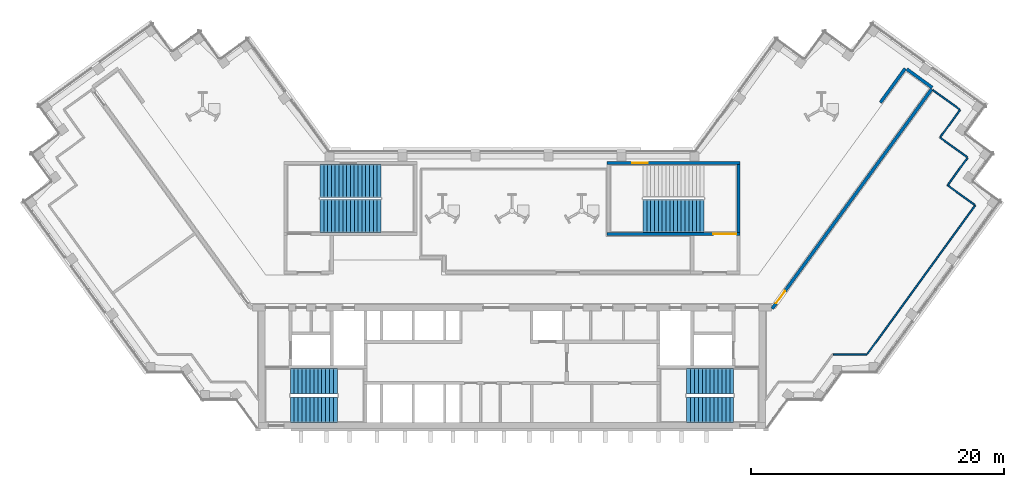
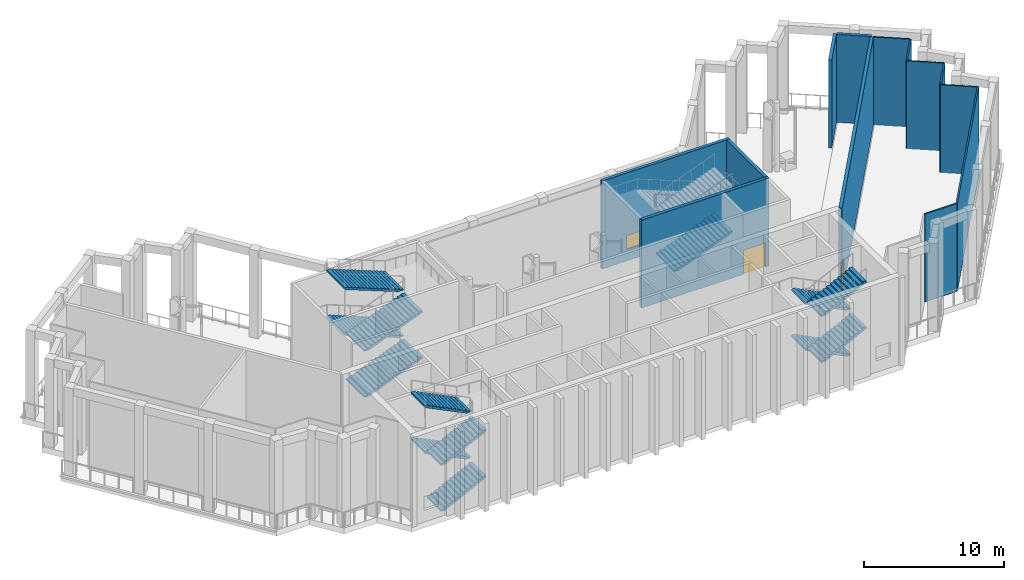
# One storey, part 5 of 12: 13 stair flights, 13 walls, 2 doors, 1 window, 3 openings, 4 elements without a shape of their own.
"""IFC4 building model written with IfcOpenShell, lengths in metres."""

import ifcopenshell
import ifcopenshell.guid

model = None  # the IFC model being written
_history = None  # IfcOwnerHistory: only IFC2X3 demands one
_inside = {}  # id of a spatial element -> (the spatial element, [elements in it])
_under = {}  # id of a project, library or spatial element -> (it, [spatial elements below it])
_declared = {}  # id of a project -> (the project, [libraries it declares])
_typed = {}  # id of a type object -> (the type object, [elements of that type])
_made_of = {}  # id of a material, layer set ... -> (it, [elements and type objects made of it])


def new_model(schema):
    """Start an empty IFC model of exactly this schema.

    Asked for "IFC4X3", IfcOpenShell would pick the latest addendum, in which some entities
    have other attributes; the version numbers below select the first issue.
    IFC2X3 requires an IfcOwnerHistory on every rooted entity: one is made here for all.
    """
    global model, _history
    if schema == "IFC4X3":
        model = ifcopenshell.file(schema_version=(4, 3, 0, 0))
    else:
        model = ifcopenshell.file(schema=schema)
    _inside.clear()
    _under.clear()
    _declared.clear()
    _typed.clear()
    _made_of.clear()
    _history = None
    if model.schema == "IFC2X3":
        org = make("IfcOrganization", Name="unknown")
        user = make(
            "IfcPersonAndOrganization",
            ThePerson=make("IfcPerson", FamilyName="unknown"),
            TheOrganization=org,
        )
        app = make(
            "IfcApplication",
            ApplicationDeveloper=org,
            Version="unknown",
            ApplicationFullName="unknown",
            ApplicationIdentifier="unknown",
        )
        _history = make(
            "IfcOwnerHistory",
            OwningUser=user,
            OwningApplication=app,
            ChangeAction="ADDED",
            CreationDate=0,
        )
    return model


def make(cls, **values):
    """One entity of the class cls with the attributes given. An attribute that is None is left unset."""
    return model.create_entity(
        cls, **{name: value for name, value in values.items() if value is not None}
    )


def rooted(cls, **values):
    """An entity with a GlobalId (a new one), such as an element, a storey or a relation."""
    return make(cls, GlobalId=ifcopenshell.guid.new(), OwnerHistory=_history, **values)


def si_unit(unit_type, name, prefix=None):
    """IfcSIUnit, for example si_unit("LENGTHUNIT", "METRE", prefix="MILLI")."""
    return make("IfcSIUnit", UnitType=unit_type, Prefix=prefix, Name=name)


def assignment(units):
    """IfcUnitAssignment: the units of a project."""
    return None if units is None else make("IfcUnitAssignment", Units=units)


def point(xyz):
    """IfcCartesianPoint."""
    return None if xyz is None else make("IfcCartesianPoint", Coordinates=xyz)


def direction(xyz):
    """IfcDirection."""
    return None if xyz is None else make("IfcDirection", DirectionRatios=xyz)


def frame(location, z_axis=None, x_axis=None):
    """IfcAxis2Placement3D, a coordinate frame: its origin and axes. An axis left out is left unset."""
    return make(
        "IfcAxis2Placement3D",
        Location=point(location),
        Axis=direction(z_axis),
        RefDirection=direction(x_axis),
    )


def frame_2d(location, x_axis=None):
    """IfcAxis2Placement2D, a coordinate frame in the plane: its origin and x axis."""
    return make(
        "IfcAxis2Placement2D", Location=point(location), RefDirection=direction(x_axis)
    )


def origin():
    """The frame at (0, 0, 0) with its axes left unset."""
    return frame((0.0, 0.0, 0.0))


def place(relative_to, where):
    """IfcLocalPlacement: puts the frame where relative to a parent placement (None: the world)."""
    return make(
        "IfcLocalPlacement", PlacementRelTo=relative_to, RelativePlacement=where
    )


def context(
    kind, dimensions, precision=None, world=None, true_north=None, identifier=None
):
    """IfcGeometricRepresentationContext, for example the 3D "Model" context."""
    return make(
        "IfcGeometricRepresentationContext",
        ContextIdentifier=identifier,
        ContextType=kind,
        CoordinateSpaceDimension=dimensions,
        Precision=precision,
        WorldCoordinateSystem=world,
        TrueNorth=true_north,
    )


def subcontext(parent, identifier, kind, view, scale=None):
    """IfcGeometricRepresentationSubContext, for example "Body" below "Model"."""
    return make(
        "IfcGeometricRepresentationSubContext",
        ContextIdentifier=identifier,
        ContextType=kind,
        ParentContext=parent,
        TargetScale=scale,
        TargetView=view,
    )


def project(units=None, contexts=None):
    """IfcProject with its units and contexts."""
    return rooted(
        "IfcProject",
        Name="project",
        RepresentationContexts=contexts,
        UnitsInContext=assignment(units),
    )


def spatial(cls, under=None, at=None, **own):
    """A site, building, storey or space (cls), placed at a placement, below another one or the project."""
    s = rooted(cls, ObjectPlacement=at, **own)
    if under is not None:
        _under.setdefault(under.id(), (under, []))[1].append(s)
    return s


def polyline(points):
    """IfcPolyline through the points."""
    return make("IfcPolyline", Points=[point(p) for p in points])


def profile(cls, at=None, kind="AREA", **sizes):
    """A parametric profile (cls). Its sizes go by their IFC names, for example OverallWidth=200.0."""
    return make(cls, ProfileType=kind, Position=at, **sizes)


def rectangle(**sizes):
    """IfcRectangleProfileDef."""
    return profile("IfcRectangleProfileDef", **sizes)


def outline(outer, holes=None, kind="AREA"):
    """IfcArbitraryClosedProfileDef: a profile drawn as a closed curve; with holes, ...WithVoids."""
    if holes is None:
        return make("IfcArbitraryClosedProfileDef", ProfileType=kind, OuterCurve=outer)
    return make(
        "IfcArbitraryProfileDefWithVoids",
        ProfileType=kind,
        OuterCurve=outer,
        InnerCurves=holes,
    )


def extrude(swept, where, along, depth):
    """IfcExtrudedAreaSolid: the profile swept, set in the frame where, extruded along a direction by depth."""
    return make(
        "IfcExtrudedAreaSolid",
        SweptArea=swept,
        Position=where,
        ExtrudedDirection=direction(along),
        Depth=depth,
    )


def shape(context_of_items, identifier, shape_type, items):
    """IfcShapeRepresentation: the items that make up one representation, for example the "Body"."""
    return make(
        "IfcShapeRepresentation",
        ContextOfItems=context_of_items,
        RepresentationIdentifier=identifier,
        RepresentationType=shape_type,
        Items=items,
    )


def material(Name=None, Category=None):
    """IfcMaterial."""
    return make("IfcMaterial", Name=Name, Category=Category)


def layer(
    of_material, thickness, ventilated=None, Name=None, Category=None, Priority=None
):
    """IfcMaterialLayer: one layer of a wall or slab, of a material (None: an air gap)."""
    return make(
        "IfcMaterialLayer",
        Material=of_material,
        LayerThickness=thickness,
        IsVentilated=ventilated,
        Name=Name,
        Category=Category,
        Priority=Priority,
    )


def layer_set(layers, Name=None):
    """IfcMaterialLayerSet."""
    return make("IfcMaterialLayerSet", MaterialLayers=layers, LayerSetName=Name)


def made_of(thing, what):
    """Note that an element or type object is made of a material, layer set ...; save() writes the relation."""
    if what is not None:
        _made_of.setdefault(what.id(), (what, []))[1].append(thing)
    return thing


def type_object(cls, material=None, **own):
    """A type object (cls), such as IfcWallType, which elements share."""
    return made_of(rooted(cls, **own), material)


def element(
    cls,
    number,
    at=None,
    inside=None,
    cuts=None,
    type_object=None,
    material=None,
    context=None,
    identifier="Body",
    shape_type=None,
    held_by="IfcProductDefinitionShape",
    body=None,
    shapes=None,
    **own,
):
    """One element of the class cls, such as IfcWall. Its Tag is "e" and its number.

    at: its placement. inside: the storey or other place that contains it. cuts: it is an
    opening in that element (IfcRelVoidsElement). A single representation is given by context,
    identifier, shape_type and body (its items); several are given by shapes. held_by: the class
    of the entity that holds the representations. save() writes the other relations.
    """
    e = rooted(cls, Tag="e%d" % number, ObjectPlacement=at, **own)
    if body is not None:
        shapes = [shape(context, identifier, shape_type, body)]
    if shapes is not None:
        e.Representation = make(held_by, Representations=shapes)
    if inside is not None:
        _inside.setdefault(inside.id(), (inside, []))[1].append(e)
    if cuts is not None:
        rooted(
            "IfcRelVoidsElement", RelatingBuildingElement=cuts, RelatedOpeningElement=e
        )
    if type_object is not None:
        _typed.setdefault(type_object.id(), (type_object, []))[1].append(e)
    return made_of(e, material)


def fill(opening, filler):
    """IfcRelFillsElement: the door or window that sits in an opening."""
    return rooted(
        "IfcRelFillsElement",
        RelatingOpeningElement=opening,
        RelatedBuildingElement=filler,
    )


def aggregate(whole, parts):
    """IfcRelAggregates: a whole, such as a stair, and the parts it consists of."""
    return rooted("IfcRelAggregates", RelatingObject=whole, RelatedObjects=parts)


def save(model, path):
    """Write the relations noted so far, then the file.

    IfcRelAggregates (storeys below a building ...), IfcRelContainedInSpatialStructure (elements
    in a storey), IfcRelDefinesByType, IfcRelAssociatesMaterial and IfcRelDeclares: one each for
    every whole, place, type object, material and project.
    """
    for whole, parts in _under.values():
        aggregate(whole, parts)
    for where, things in _inside.values():
        rooted(
            "IfcRelContainedInSpatialStructure",
            RelatedElements=things,
            RelatingStructure=where,
        )
    for kind, things in _typed.values():
        rooted("IfcRelDefinesByType", RelatedObjects=things, RelatingType=kind)
    for what, things in _made_of.values():
        rooted("IfcRelAssociatesMaterial", RelatedObjects=things, RelatingMaterial=what)
    for by, libraries in _declared.values():
        rooted("IfcRelDeclares", RelatingContext=by, RelatedDefinitions=libraries)
    model.write(path)


model = new_model("IFC4")

# Units and contexts
model_context = context("Model", 3, precision=1e-05, world=origin(), true_north=direction((0.0, 1.0)))
body_context = subcontext(model_context, "Body", "Model", "MODEL_VIEW")
ifc_project = project(units=[si_unit("LENGTHUNIT", "METRE"), si_unit("AREAUNIT", "SQUARE_METRE"), si_unit("VOLUMEUNIT", "CUBIC_METRE"), si_unit("PLANEANGLEUNIT", "RADIAN"), si_unit("MASSUNIT", "GRAM", prefix="KILO")], contexts=[model_context])

# Site, building, storey
site_placement = place(None, origin())
site = spatial("IfcSite", under=ifc_project, at=site_placement, CompositionType="ELEMENT")
building_placement = place(site_placement, origin())
building = spatial("IfcBuilding", under=site, at=building_placement, Name="Quipu Civic Tower", CompositionType="ELEMENT")
storey_placement = place(building_placement, frame((0.0, 0.0, 273.0)))
storey = spatial("IfcBuildingStorey", under=building, at=storey_placement, Name="L64", CompositionType="ELEMENT", Elevation=273.0)

# Wall, opening, door
ifc_material_1 = material(Name="Concrete C70/85", Category="concrete")
ifc_layer_1 = layer(ifc_material_1, 0.25)
ifc_layer_set_1 = layer_set([ifc_layer_1], Name="Concrete C70/85")
wall_type_1 = type_object("IfcWallType", Name="Core wall 250", PredefinedType="SHEAR", material=ifc_layer_set_1)
wall_1_placement = place(storey_placement, frame((7.5, 4.375, 0.0), z_axis=(0.0, 0.0, 1.0), x_axis=(1.0, 0.0, 0.0)))
wall_1 = element("IfcWall", 1, at=wall_1_placement, inside=storey, type_object=wall_type_1, Name="Core wall", PredefinedType="SHEAR", context=body_context, shape_type="SweptSolid", body=[
    extrude(rectangle(XDim=10.5, YDim=0.25, at=frame_2d((5.25, 0.0))), origin(), (0.0, 0.0, 1.0), 7.64990234375),
])
opening_1_placement = place(wall_1_placement, frame((8.39990234375, 0.0, 0.0)))
opening_1 = element("IfcOpeningElement", 2, at=opening_1_placement, cuts=wall_1, Name="Opening CD-23", PredefinedType="OPENING", context=body_context, shape_type="SweptSolid", body=[
    extrude(rectangle(XDim=1.800048828125, YDim=2.10009765625, at=frame_2d((0.89990234375, 1.050048828125))), frame((0.0, 0.135009765625, 0.0), z_axis=(0.0, -1.0, 0.0), x_axis=(1.0, 0.0, 0.0)), (0.0, 0.0, 1.0), 0.27001953125),
])
ifc_material_2 = material(Name="Fire rated steel door", Category="steel")
door_type_1 = type_object("IfcDoorType", Name="Fire door FD90 double 1800 x 2100", OperationType="NOTDEFINED", PredefinedType="DOOR", material=ifc_material_2)
door_1_placement = place(opening_1_placement, origin())
door_1 = element("IfcDoor", 3, at=door_1_placement, inside=storey, type_object=door_type_1, Name="Door", OperationType="DOUBLE_DOOR_SINGLE_SWING", OverallHeight=2.10009765625, OverallWidth=1.800048828125, PredefinedType="DOOR", context=body_context, shape_type="SweptSolid", body=[
    extrude(rectangle(XDim=1.800048828125, YDim=2.10009765625, at=frame_2d((0.89990234375, 1.050048828125))), frame((0.0, 0.02490234375, 0.0), z_axis=(0.0, -1.0, 0.0), x_axis=(1.0, 0.0, 0.0)), (0.0, 0.0, 1.0), 0.050048828125),
])
fill(opening_1, door_1)

# Wall
wall_2_placement = place(storey_placement, frame((17.875, 4.5, 0.0), z_axis=(0.0, 0.0, 1.0), x_axis=(0.0, 1.0, 0.0)))
element("IfcWall", 4, at=wall_2_placement, inside=storey, type_object=wall_type_1, Name="Core wall", PredefinedType="SHEAR", context=body_context, shape_type="SweptSolid", body=[
    extrude(rectangle(XDim=5.35009765625, YDim=0.25, at=frame_2d((2.675048828125, 0.0))), origin(), (0.0, 0.0, 1.0), 7.64990234375),
])

# Wall, opening, window
wall_3_placement = place(storey_placement, frame((7.5, 9.97509765625, 0.0), z_axis=(0.0, 0.0, 1.0), x_axis=(1.0, 0.0, 0.0)))
wall_3 = element("IfcWall", 5, at=wall_3_placement, inside=storey, type_object=wall_type_1, Name="Core wall", PredefinedType="SHEAR", context=body_context, shape_type="SweptSolid", body=[
    extrude(rectangle(XDim=10.5, YDim=0.25, at=frame_2d((5.25, 0.0))), origin(), (0.0, 0.0, 1.0), 7.64990234375),
])
opening_2_placement = place(wall_3_placement, frame((2.0, 0.0, 1.0)))
opening_2 = element("IfcOpeningElement", 6, at=opening_2_placement, cuts=wall_3, Name="Opening SV-4", PredefinedType="OPENING", context=body_context, shape_type="SweptSolid", body=[
    extrude(rectangle(XDim=1.199951171875, YDim=1.199951171875, at=frame_2d((0.60009765625, 0.60009765625))), frame((0.0, 0.135009765625, 0.0), z_axis=(0.0, -1.0, 0.0), x_axis=(1.0, 0.0, 0.0)), (0.0, 0.0, 1.0), 0.27001953125),
])
ifc_material_3 = material(Name="Aluminium louvre", Category="aluminium")
window_type = type_object("IfcWindowType", Name="Stair ventilation louvre 1200 x 1200", PartitioningType="SINGLE_PANEL", PredefinedType="WINDOW", material=ifc_material_3)
window_placement = place(opening_2_placement, origin())
window = element("IfcWindow", 7, at=window_placement, inside=storey, type_object=window_type, Name="Stair ventilation opening", OverallHeight=1.199951171875, OverallWidth=1.199951171875, PartitioningType="SINGLE_PANEL", PredefinedType="WINDOW", context=body_context, shape_type="SweptSolid", body=[
    extrude(rectangle(XDim=1.199951171875, YDim=1.199951171875, at=frame_2d((0.60009765625, 0.60009765625))), frame((0.0, 0.030029296875, 0.0), z_axis=(0.0, -1.0, 0.0), x_axis=(1.0, 0.0, 0.0)), (0.0, 0.0, 1.0), 0.06005859375),
])
fill(opening_2, window)

# Walls
ifc_material_4 = material(Name="Concrete C50/60", Category="concrete")
ifc_layer_2 = layer(ifc_material_4, 0.25)
ifc_layer_set_2 = layer_set([ifc_layer_2], Name="Concrete C50/60")
wall_type_2 = type_object("IfcWallType", Name="Corridor wall 250 concrete", PredefinedType="SOLIDWALL", material=ifc_layer_set_2)
wall_4_placement = place(storey_placement, frame((29.075927734375, 14.74609375, 0.0), z_axis=(0.0, 0.0, 1.0), x_axis=(0.587765806913, 0.809031121913, 0.0)))
element("IfcWall", 8, at=wall_4_placement, inside=storey, type_object=wall_type_2, Name="Corridor wall C03", PredefinedType="SOLIDWALL", context=body_context, shape_type="SweptSolid", body=[
    extrude(rectangle(XDim=3.32666015625, YDim=0.25, at=frame_2d((1.663330078125, 0.0))), origin(), (0.0, 0.0, 1.0), 7.64990234375),
])
wall_5_placement = place(storey_placement, frame((31.1552734375, 17.38916015625, 0.0), z_axis=(0.0, 0.0, 1.0), x_axis=(0.809011863271, -0.587792314586, 0.0)))
element("IfcWall", 9, at=wall_5_placement, inside=storey, type_object=wall_type_2, Name="Corridor wall C04", PredefinedType="SOLIDWALL", context=body_context, shape_type="SweptSolid", body=[
    extrude(rectangle(XDim=2.487548828125, YDim=0.25, at=frame_2d((1.24365234375, 0.0))), origin(), (0.0, 0.0, 1.0), 7.64990234375),
])

# Wall, opening, door
wall_6_placement = place(storey_placement, frame((33.11962890625, 15.803466796875, 0.0), z_axis=(0.0, 0.0, 1.0), x_axis=(-0.587781896694, -0.80901943235, 0.0)))
wall_6 = element("IfcWall", 10, at=wall_6_placement, inside=storey, type_object=wall_type_2, Name="Corridor wall C05", PredefinedType="SOLIDWALL", context=body_context, shape_type="SweptSolid", body=[
    extrude(rectangle(XDim=21.417236328125, YDim=0.25, at=frame_2d((10.70849609375, 0.0))), origin(), (0.0, 0.0, 1.0), 7.64990234375),
])
opening_3_placement = place(wall_6_placement, frame((19.68408203125, 0.0, 0.0)))
opening_3 = element("IfcOpeningElement", 11, at=opening_3_placement, cuts=wall_6, Name="Opening D002", PredefinedType="OPENING", context=body_context, shape_type="SweptSolid", body=[
    extrude(rectangle(XDim=1.199951171875, YDim=2.10009765625, at=frame_2d((0.60009765625, 1.050048828125))), frame((0.0, 0.135009765625, 0.0), z_axis=(0.0, -1.0, 0.0), x_axis=(1.0, 0.0, 0.0)), (0.0, 0.0, 1.0), 0.27001953125),
])
ifc_material_5 = material(Name="Fire rated timber door set with metal frame", Category="wood")
door_type_2 = type_object("IfcDoorType", Name="Single door 1200 x 2100 FD60", OperationType="NOTDEFINED", PredefinedType="DOOR", material=ifc_material_5)
door_2_placement = place(opening_3_placement, origin())
door_2 = element("IfcDoor", 12, at=door_2_placement, inside=storey, type_object=door_type_2, Name="Door D002", OperationType="SINGLE_SWING_RIGHT", OverallHeight=2.10009765625, OverallWidth=1.199951171875, PredefinedType="DOOR", context=body_context, shape_type="SweptSolid", body=[
    extrude(rectangle(XDim=1.199951171875, YDim=2.10009765625, at=frame_2d((0.60009765625, 1.050048828125))), frame((0.0, 0.02490234375, 0.0), z_axis=(0.0, -1.0, 0.0), x_axis=(1.0, 0.0, 0.0)), (0.0, 0.0, 1.0), 0.050048828125),
])
fill(opening_3, door_2)

# Walls
ifc_material_6 = material(Name="Gypsum plasterboard on light gauge framing")
ifc_layer_3 = layer(ifc_material_6, 0.1201171875)
ifc_layer_set_3 = layer_set([ifc_layer_3], Name="Gypsum plasterboard on light gauge framing")
wall_type_3 = type_object("IfcWallType", Name="Partition 120 plasterboard", PredefinedType="PARTITIONING", material=ifc_layer_set_3)
wall_7_placement = place(storey_placement, frame((25.35498046875, -5.131103515625, 0.0), z_axis=(0.0, 0.0, 1.0), x_axis=(1.0, 0.0, 0.0)))
element("IfcWall", 13, at=wall_7_placement, inside=storey, type_object=wall_type_3, Name="Partition P17", PredefinedType="PARTITIONING", context=body_context, shape_type="SweptSolid", body=[
    extrude(rectangle(XDim=2.659912109375, YDim=0.1201171875, at=frame_2d((1.330078125, 0.0))), origin(), (0.0, 0.0, 1.0), 7.64990234375),
])
wall_8_placement = place(storey_placement, frame((28.03857421875, -5.0986328125, 0.0), z_axis=(0.0, 0.0, 1.0), x_axis=(0.587767157512, 0.809030140693, 0.0)))
element("IfcWall", 14, at=wall_8_placement, inside=storey, type_object=wall_type_3, Name="Partition P18", PredefinedType="PARTITIONING", context=body_context, shape_type="SweptSolid", body=[
    extrude(rectangle(XDim=14.499755859375, YDim=0.1201171875, at=frame_2d((7.25, 0.0))), origin(), (0.0, 0.0, 1.0), 7.64990234375),
])
wall_9_placement = place(storey_placement, frame((36.512451171875, 6.667236328125, 0.0), z_axis=(0.0, 0.0, 1.0), x_axis=(-0.808848086336, 0.588017664046, 0.0)))
element("IfcWall", 15, at=wall_9_placement, inside=storey, type_object=wall_type_3, Name="Partition P19", PredefinedType="PARTITIONING", context=body_context, shape_type="SweptSolid", body=[
    extrude(rectangle(XDim=2.638916015625, YDim=0.1201171875, at=frame_2d((1.3193359375, 0.0))), origin(), (0.0, 0.0, 1.0), 7.64990234375),
])
wall_10_placement = place(storey_placement, frame((34.4130859375, 8.267578125, 0.0), z_axis=(0.0, 0.0, 1.0), x_axis=(0.58748418219, 0.809235649039, 0.0)))
element("IfcWall", 16, at=wall_10_placement, inside=storey, type_object=wall_type_3, Name="Partition P20", PredefinedType="PARTITIONING", context=body_context, shape_type="SweptSolid", body=[
    extrude(rectangle(XDim=2.64013671875, YDim=0.1201171875, at=frame_2d((1.320068359375, 0.0))), origin(), (0.0, 0.0, 1.0), 7.64990234375),
])
wall_11_placement = place(storey_placement, frame((35.91552734375, 10.439208984375, 0.0), z_axis=(0.0, 0.0, 1.0), x_axis=(-0.809024092902, 0.587775481884, 0.0)))
element("IfcWall", 17, at=wall_11_placement, inside=storey, type_object=wall_type_3, Name="Partition P21", PredefinedType="PARTITIONING", context=body_context, shape_type="SweptSolid", body=[
    extrude(rectangle(XDim=2.638427734375, YDim=0.1201171875, at=frame_2d((1.3193359375, 0.0))), origin(), (0.0, 0.0, 1.0), 7.64990234375),
])
wall_12_placement = place(storey_placement, frame((33.816162109375, 12.03857421875, 0.0), z_axis=(0.0, 0.0, 1.0), x_axis=(0.587423619839, 0.809279612282, 0.0)))
element("IfcWall", 18, at=wall_12_placement, inside=storey, type_object=wall_type_3, Name="Partition P22", PredefinedType="PARTITIONING", context=body_context, shape_type="SweptSolid", body=[
    extrude(rectangle(XDim=2.639892578125, YDim=0.1201171875, at=frame_2d((1.31982421875, 0.0))), origin(), (0.0, 0.0, 1.0), 7.64990234375),
])
wall_13_placement = place(storey_placement, frame((35.318603515625, 14.210205078125, 0.0), z_axis=(0.0, 0.0, 1.0), x_axis=(-0.809000907741, 0.587807393008, 0.0)))
element("IfcWall", 19, at=wall_13_placement, inside=storey, type_object=wall_type_3, Name="Partition P23", PredefinedType="PARTITIONING", context=body_context, shape_type="SweptSolid", body=[
    extrude(rectangle(XDim=2.590576171875, YDim=0.1201171875, at=frame_2d((1.29541015625, 0.0))), origin(), (0.0, 0.0, 1.0), 7.64990234375),
])

# Stair, stair flights
ifc_material_7 = material(Name="Concrete C40/50", Category="concrete")
stair_type_1 = type_object("IfcStairType", Name="Half turn stair 2000", PredefinedType="HALF_TURN_STAIR", material=ifc_material_7)
stair_1_placement = place(storey_placement, origin())
stair_1 = element("IfcStair", 20, at=stair_1_placement, inside=storey, type_object=stair_type_1, Name="Exit stair 1", PredefinedType="HALF_TURN_STAIR")
ifc_material_8 = material(Name="Concrete C40/50", Category="concrete")
stair_flight_type_1 = type_object("IfcStairFlightType", Name="Stair flight 2000", PredefinedType="STRAIGHT", material=ifc_material_8)
stair_flight_1_placement = place(storey_placement, frame((-17.5, -9.5, 0.0), z_axis=(0.0, 0.0, 1.0), x_axis=(1.0, 0.0, 0.0)))
stair_flight_1 = element("IfcStairFlight", 21, at=stair_flight_1_placement, type_object=stair_flight_type_1, Name="ST-1 flight 1", NumberOfRisers=13, NumberOfTreads=12, PredefinedType="STRAIGHT", RiserHeight=0.153846154, TreadLength=0.31, context=body_context, shape_type="SweptSolid", body=[
    extrude(outline(polyline([(0.0, 0.0), (0.0, 0.15380859375), (0.31005859375, 0.15380859375), (0.31005859375, 0.3076171875), (0.6201171875, 0.3076171875), (0.6201171875, 0.46142578125), (0.929931640625, 0.46142578125), (0.929931640625, 0.615478515625), (1.239990234375, 0.615478515625), (1.239990234375, 0.769287109375), (1.550048828125, 0.769287109375), (1.550048828125, 0.923095703125), (1.860107421875, 0.923095703125), (1.860107421875, 1.076904296875), (2.169921875, 1.076904296875), (2.169921875, 1.230712890625), (2.47998046875, 1.230712890625), (2.47998046875, 1.384521484375), (2.7900390625, 1.384521484375), (2.7900390625, 1.53857421875), (3.10009765625, 1.53857421875), (3.10009765625, 1.6923828125), (3.409912109375, 1.6923828125), (3.409912109375, 1.84619140625), (3.719970703125, 1.84619140625), (3.719970703125, 2.0), (3.719970703125, 1.6787109375), (0.337158203125, 0.0), (0.0, 0.0)])), frame((0.0, 1.0, 0.0), z_axis=(0.0, -1.0, 0.0), x_axis=(1.0, 0.0, 0.0)), (0.0, 0.0, 1.0), 2.0),
])
stair_flight_2_placement = place(storey_placement, frame((-13.780029296875, -7.25, 2.0), z_axis=(0.0, 0.0, 1.0), x_axis=(-1.0, 0.0, 0.0)))
stair_flight_2 = element("IfcStairFlight", 22, at=stair_flight_2_placement, type_object=stair_flight_type_1, Name="ST-1 flight 2", NumberOfRisers=13, NumberOfTreads=12, PredefinedType="STRAIGHT", RiserHeight=0.153846154, TreadLength=0.31, context=body_context, shape_type="SweptSolid", body=[
    extrude(outline(polyline([(0.0, 0.0), (0.0, 0.15380859375), (0.31005859375, 0.15380859375), (0.31005859375, 0.3076171875), (0.6201171875, 0.3076171875), (0.6201171875, 0.46142578125), (0.929931640625, 0.46142578125), (0.929931640625, 0.615478515625), (1.239990234375, 0.615478515625), (1.239990234375, 0.769287109375), (1.550048828125, 0.769287109375), (1.550048828125, 0.923095703125), (1.860107421875, 0.923095703125), (1.860107421875, 1.076904296875), (2.169921875, 1.076904296875), (2.169921875, 1.230712890625), (2.47998046875, 1.230712890625), (2.47998046875, 1.384521484375), (2.7900390625, 1.384521484375), (2.7900390625, 1.53857421875), (3.10009765625, 1.53857421875), (3.10009765625, 1.6923828125), (3.409912109375, 1.6923828125), (3.409912109375, 1.84619140625), (3.719970703125, 1.84619140625), (3.719970703125, 2.0), (3.719970703125, 1.6787109375), (0.337158203125, 0.0), (0.0, 0.0)])), frame((0.0, 1.0, 0.0), z_axis=(0.0, -1.0, 0.0), x_axis=(1.0, 0.0, 0.0)), (0.0, 0.0, 1.0), 2.0),
])
stair_flight_3_placement = place(storey_placement, frame((-17.5, -9.5, 4.0), z_axis=(0.0, 0.0, 1.0), x_axis=(1.0, 0.0, 0.0)))
stair_flight_3 = element("IfcStairFlight", 23, at=stair_flight_3_placement, type_object=stair_flight_type_1, Name="ST-1 flight 3", NumberOfRisers=13, NumberOfTreads=12, PredefinedType="STRAIGHT", RiserHeight=0.153846154, TreadLength=0.31, context=body_context, shape_type="SweptSolid", body=[
    extrude(outline(polyline([(0.0, 0.0), (0.0, 0.15380859375), (0.31005859375, 0.15380859375), (0.31005859375, 0.3076171875), (0.6201171875, 0.3076171875), (0.6201171875, 0.46142578125), (0.929931640625, 0.46142578125), (0.929931640625, 0.615478515625), (1.239990234375, 0.615478515625), (1.239990234375, 0.769287109375), (1.550048828125, 0.769287109375), (1.550048828125, 0.923095703125), (1.860107421875, 0.923095703125), (1.860107421875, 1.076904296875), (2.169921875, 1.076904296875), (2.169921875, 1.230712890625), (2.47998046875, 1.230712890625), (2.47998046875, 1.384521484375), (2.7900390625, 1.384521484375), (2.7900390625, 1.53857421875), (3.10009765625, 1.53857421875), (3.10009765625, 1.6923828125), (3.409912109375, 1.6923828125), (3.409912109375, 1.84619140625), (3.719970703125, 1.84619140625), (3.719970703125, 2.0), (3.719970703125, 1.6787109375), (0.337158203125, 0.0), (0.0, 0.0)])), frame((0.0, 1.0, 0.0), z_axis=(0.0, -1.0, 0.0), x_axis=(1.0, 0.0, 0.0)), (0.0, 0.0, 1.0), 2.0),
])
stair_flight_4_placement = place(storey_placement, frame((-13.780029296875, -7.25, 6.0), z_axis=(0.0, 0.0, 1.0), x_axis=(-1.0, 0.0, 0.0)))
stair_flight_4 = element("IfcStairFlight", 24, at=stair_flight_4_placement, type_object=stair_flight_type_1, Name="ST-1 flight 4", NumberOfRisers=13, NumberOfTreads=12, PredefinedType="STRAIGHT", RiserHeight=0.153846154, TreadLength=0.31, context=body_context, shape_type="SweptSolid", body=[
    extrude(outline(polyline([(0.0, 0.0), (0.0, 0.15380859375), (0.31005859375, 0.15380859375), (0.31005859375, 0.3076171875), (0.6201171875, 0.3076171875), (0.6201171875, 0.46142578125), (0.929931640625, 0.46142578125), (0.929931640625, 0.615478515625), (1.239990234375, 0.615478515625), (1.239990234375, 0.769287109375), (1.550048828125, 0.769287109375), (1.550048828125, 0.923095703125), (1.860107421875, 0.923095703125), (1.860107421875, 1.076904296875), (2.169921875, 1.076904296875), (2.169921875, 1.230712890625), (2.47998046875, 1.230712890625), (2.47998046875, 1.384521484375), (2.7900390625, 1.384521484375), (2.7900390625, 1.53857421875), (3.10009765625, 1.53857421875), (3.10009765625, 1.6923828125), (3.409912109375, 1.6923828125), (3.409912109375, 1.84619140625), (3.719970703125, 1.84619140625), (3.719970703125, 2.0), (3.719970703125, 1.6787109375), (0.337158203125, 0.0), (0.0, 0.0)])), frame((0.0, 1.0, 0.0), z_axis=(0.0, -1.0, 0.0), x_axis=(1.0, 0.0, 0.0)), (0.0, 0.0, 1.0), 2.0),
])
aggregate(stair_1, [stair_flight_1, stair_flight_2, stair_flight_3, stair_flight_4])

stair_2_placement = place(storey_placement, origin())
stair_2 = element("IfcStair", 25, at=stair_2_placement, inside=storey, type_object=stair_type_1, Name="Exit stair 2", PredefinedType="HALF_TURN_STAIR")
stair_flight_5_placement = place(storey_placement, frame((17.5, -7.25, 0.0), z_axis=(0.0, 0.0, 1.0), x_axis=(-1.0, 0.0, 0.0)))
stair_flight_5 = element("IfcStairFlight", 26, at=stair_flight_5_placement, type_object=stair_flight_type_1, Name="ST-2 flight 1", NumberOfRisers=13, NumberOfTreads=12, PredefinedType="STRAIGHT", RiserHeight=0.153846154, TreadLength=0.31, context=body_context, shape_type="SweptSolid", body=[
    extrude(outline(polyline([(0.0, 0.0), (0.0, 0.15380859375), (0.31005859375, 0.15380859375), (0.31005859375, 0.3076171875), (0.6201171875, 0.3076171875), (0.6201171875, 0.46142578125), (0.929931640625, 0.46142578125), (0.929931640625, 0.615478515625), (1.239990234375, 0.615478515625), (1.239990234375, 0.769287109375), (1.550048828125, 0.769287109375), (1.550048828125, 0.923095703125), (1.860107421875, 0.923095703125), (1.860107421875, 1.076904296875), (2.169921875, 1.076904296875), (2.169921875, 1.230712890625), (2.47998046875, 1.230712890625), (2.47998046875, 1.384521484375), (2.7900390625, 1.384521484375), (2.7900390625, 1.53857421875), (3.10009765625, 1.53857421875), (3.10009765625, 1.6923828125), (3.409912109375, 1.6923828125), (3.409912109375, 1.84619140625), (3.719970703125, 1.84619140625), (3.719970703125, 2.0), (3.719970703125, 1.6787109375), (0.337158203125, 0.0), (0.0, 0.0)])), frame((0.0, 1.0, 0.0), z_axis=(0.0, -1.0, 0.0), x_axis=(1.0, 0.0, 0.0)), (0.0, 0.0, 1.0), 2.0),
])
stair_flight_6_placement = place(storey_placement, frame((13.780029296875, -9.5, 2.0), z_axis=(0.0, 0.0, 1.0), x_axis=(1.0, 0.0, 0.0)))
stair_flight_6 = element("IfcStairFlight", 27, at=stair_flight_6_placement, type_object=stair_flight_type_1, Name="ST-2 flight 2", NumberOfRisers=13, NumberOfTreads=12, PredefinedType="STRAIGHT", RiserHeight=0.153846154, TreadLength=0.31, context=body_context, shape_type="SweptSolid", body=[
    extrude(outline(polyline([(0.0, 0.0), (0.0, 0.15380859375), (0.31005859375, 0.15380859375), (0.31005859375, 0.3076171875), (0.6201171875, 0.3076171875), (0.6201171875, 0.46142578125), (0.929931640625, 0.46142578125), (0.929931640625, 0.615478515625), (1.239990234375, 0.615478515625), (1.239990234375, 0.769287109375), (1.550048828125, 0.769287109375), (1.550048828125, 0.923095703125), (1.860107421875, 0.923095703125), (1.860107421875, 1.076904296875), (2.169921875, 1.076904296875), (2.169921875, 1.230712890625), (2.47998046875, 1.230712890625), (2.47998046875, 1.384521484375), (2.7900390625, 1.384521484375), (2.7900390625, 1.53857421875), (3.10009765625, 1.53857421875), (3.10009765625, 1.6923828125), (3.409912109375, 1.6923828125), (3.409912109375, 1.84619140625), (3.719970703125, 1.84619140625), (3.719970703125, 2.0), (3.719970703125, 1.6787109375), (0.337158203125, 0.0), (0.0, 0.0)])), frame((0.0, 1.0, 0.0), z_axis=(0.0, -1.0, 0.0), x_axis=(1.0, 0.0, 0.0)), (0.0, 0.0, 1.0), 2.0),
])
stair_flight_7_placement = place(storey_placement, frame((17.5, -7.25, 4.0), z_axis=(0.0, 0.0, 1.0), x_axis=(-1.0, 0.0, 0.0)))
stair_flight_7 = element("IfcStairFlight", 28, at=stair_flight_7_placement, type_object=stair_flight_type_1, Name="ST-2 flight 3", NumberOfRisers=13, NumberOfTreads=12, PredefinedType="STRAIGHT", RiserHeight=0.153846154, TreadLength=0.31, context=body_context, shape_type="SweptSolid", body=[
    extrude(outline(polyline([(0.0, 0.0), (0.0, 0.15380859375), (0.31005859375, 0.15380859375), (0.31005859375, 0.3076171875), (0.6201171875, 0.3076171875), (0.6201171875, 0.46142578125), (0.929931640625, 0.46142578125), (0.929931640625, 0.615478515625), (1.239990234375, 0.615478515625), (1.239990234375, 0.769287109375), (1.550048828125, 0.769287109375), (1.550048828125, 0.923095703125), (1.860107421875, 0.923095703125), (1.860107421875, 1.076904296875), (2.169921875, 1.076904296875), (2.169921875, 1.230712890625), (2.47998046875, 1.230712890625), (2.47998046875, 1.384521484375), (2.7900390625, 1.384521484375), (2.7900390625, 1.53857421875), (3.10009765625, 1.53857421875), (3.10009765625, 1.6923828125), (3.409912109375, 1.6923828125), (3.409912109375, 1.84619140625), (3.719970703125, 1.84619140625), (3.719970703125, 2.0), (3.719970703125, 1.6787109375), (0.337158203125, 0.0), (0.0, 0.0)])), frame((0.0, 1.0, 0.0), z_axis=(0.0, -1.0, 0.0), x_axis=(1.0, 0.0, 0.0)), (0.0, 0.0, 1.0), 2.0),
])
stair_flight_8_placement = place(storey_placement, frame((13.780029296875, -9.5, 6.0), z_axis=(0.0, 0.0, 1.0), x_axis=(1.0, 0.0, 0.0)))
stair_flight_8 = element("IfcStairFlight", 29, at=stair_flight_8_placement, type_object=stair_flight_type_1, Name="ST-2 flight 4", NumberOfRisers=13, NumberOfTreads=12, PredefinedType="STRAIGHT", RiserHeight=0.153846154, TreadLength=0.31, context=body_context, shape_type="SweptSolid", body=[
    extrude(outline(polyline([(0.0, 0.0), (0.0, 0.15380859375), (0.31005859375, 0.15380859375), (0.31005859375, 0.3076171875), (0.6201171875, 0.3076171875), (0.6201171875, 0.46142578125), (0.929931640625, 0.46142578125), (0.929931640625, 0.615478515625), (1.239990234375, 0.615478515625), (1.239990234375, 0.769287109375), (1.550048828125, 0.769287109375), (1.550048828125, 0.923095703125), (1.860107421875, 0.923095703125), (1.860107421875, 1.076904296875), (2.169921875, 1.076904296875), (2.169921875, 1.230712890625), (2.47998046875, 1.230712890625), (2.47998046875, 1.384521484375), (2.7900390625, 1.384521484375), (2.7900390625, 1.53857421875), (3.10009765625, 1.53857421875), (3.10009765625, 1.6923828125), (3.409912109375, 1.6923828125), (3.409912109375, 1.84619140625), (3.719970703125, 1.84619140625), (3.719970703125, 2.0), (3.719970703125, 1.6787109375), (0.337158203125, 0.0), (0.0, 0.0)])), frame((0.0, 1.0, 0.0), z_axis=(0.0, -1.0, 0.0), x_axis=(1.0, 0.0, 0.0)), (0.0, 0.0, 1.0), 2.0),
])
aggregate(stair_2, [stair_flight_5, stair_flight_6, stair_flight_7, stair_flight_8])

ifc_material_9 = material(Name="Concrete C40/50", Category="concrete")
stair_type_2 = type_object("IfcStairType", Name="Half turn stair 2600", PredefinedType="HALF_TURN_STAIR", material=ifc_material_9)
stair_3_placement = place(storey_placement, origin())
stair_3 = element("IfcStair", 30, at=stair_3_placement, inside=storey, type_object=stair_type_2, Name="Exit stair 3", PredefinedType="HALF_TURN_STAIR")
ifc_material_10 = material(Name="Concrete C40/50", Category="concrete")
stair_flight_type_2 = type_object("IfcStairFlightType", Name="Stair flight 2600", PredefinedType="STRAIGHT", material=ifc_material_10)
stair_flight_9_placement = place(storey_placement, frame((-15.14990234375, 5.800048828125, 0.0), z_axis=(0.0, 0.0, 1.0), x_axis=(1.0, 0.0, 0.0)))
stair_flight_9 = element("IfcStairFlight", 31, at=stair_flight_9_placement, type_object=stair_flight_type_2, Name="ST-3 flight 1", NumberOfRisers=17, NumberOfTreads=16, PredefinedType="STRAIGHT", RiserHeight=0.117647059, TreadLength=0.3, context=body_context, shape_type="SweptSolid", body=[
    extrude(outline(polyline([(0.0, 0.0), (0.0, 0.11767578125), (0.300048828125, 0.11767578125), (0.300048828125, 0.2353515625), (0.60009765625, 0.2353515625), (0.60009765625, 0.35302734375), (0.89990234375, 0.35302734375), (0.89990234375, 0.470703125), (1.199951171875, 0.470703125), (1.199951171875, 0.588134765625), (1.5, 0.588134765625), (1.5, 0.705810546875), (1.800048828125, 0.705810546875), (1.800048828125, 0.823486328125), (2.10009765625, 0.823486328125), (2.10009765625, 0.941162109375), (2.39990234375, 0.941162109375), (2.39990234375, 1.058837890625), (2.699951171875, 1.058837890625), (2.699951171875, 1.176513671875), (3.0, 1.176513671875), (3.0, 1.294189453125), (3.300048828125, 1.294189453125), (3.300048828125, 1.411865234375), (3.60009765625, 1.411865234375), (3.60009765625, 1.529296875), (3.89990234375, 1.529296875), (3.89990234375, 1.64697265625), (4.199951171875, 1.64697265625), (4.199951171875, 1.7646484375), (4.5, 1.7646484375), (4.5, 1.88232421875), (4.800048828125, 1.88232421875), (4.800048828125, 2.0), (4.800048828125, 1.721435546875), (0.41064453125, 0.0), (0.0, 0.0)])), frame((0.0, 1.300048828125, 0.0), z_axis=(0.0, -1.0, 0.0), x_axis=(1.0, 0.0, 0.0)), (0.0, 0.0, 1.0), 2.60009765625),
])
stair_flight_10_placement = place(storey_placement, frame((-10.35009765625, 8.550048828125, 2.0), z_axis=(0.0, 0.0, 1.0), x_axis=(-1.0, 0.0, 0.0)))
stair_flight_10 = element("IfcStairFlight", 32, at=stair_flight_10_placement, type_object=stair_flight_type_2, Name="ST-3 flight 2", NumberOfRisers=17, NumberOfTreads=16, PredefinedType="STRAIGHT", RiserHeight=0.117647059, TreadLength=0.3, context=body_context, shape_type="SweptSolid", body=[
    extrude(outline(polyline([(0.0, 0.0), (0.0, 0.11767578125), (0.300048828125, 0.11767578125), (0.300048828125, 0.2353515625), (0.60009765625, 0.2353515625), (0.60009765625, 0.35302734375), (0.89990234375, 0.35302734375), (0.89990234375, 0.470703125), (1.199951171875, 0.470703125), (1.199951171875, 0.588134765625), (1.5, 0.588134765625), (1.5, 0.705810546875), (1.800048828125, 0.705810546875), (1.800048828125, 0.823486328125), (2.10009765625, 0.823486328125), (2.10009765625, 0.941162109375), (2.39990234375, 0.941162109375), (2.39990234375, 1.058837890625), (2.699951171875, 1.058837890625), (2.699951171875, 1.176513671875), (3.0, 1.176513671875), (3.0, 1.294189453125), (3.300048828125, 1.294189453125), (3.300048828125, 1.411865234375), (3.60009765625, 1.411865234375), (3.60009765625, 1.529296875), (3.89990234375, 1.529296875), (3.89990234375, 1.64697265625), (4.199951171875, 1.64697265625), (4.199951171875, 1.7646484375), (4.5, 1.7646484375), (4.5, 1.88232421875), (4.800048828125, 1.88232421875), (4.800048828125, 2.0), (4.800048828125, 1.721435546875), (0.41064453125, 0.0), (0.0, 0.0)])), frame((0.0, 1.300048828125, 0.0), z_axis=(0.0, -1.0, 0.0), x_axis=(1.0, 0.0, 0.0)), (0.0, 0.0, 1.0), 2.60009765625),
])
stair_flight_11_placement = place(storey_placement, frame((-15.14990234375, 5.800048828125, 4.0), z_axis=(0.0, 0.0, 1.0), x_axis=(1.0, 0.0, 0.0)))
stair_flight_11 = element("IfcStairFlight", 33, at=stair_flight_11_placement, type_object=stair_flight_type_2, Name="ST-3 flight 3", NumberOfRisers=17, NumberOfTreads=16, PredefinedType="STRAIGHT", RiserHeight=0.117647059, TreadLength=0.3, context=body_context, shape_type="SweptSolid", body=[
    extrude(outline(polyline([(0.0, 0.0), (0.0, 0.11767578125), (0.300048828125, 0.11767578125), (0.300048828125, 0.2353515625), (0.60009765625, 0.2353515625), (0.60009765625, 0.35302734375), (0.89990234375, 0.35302734375), (0.89990234375, 0.470703125), (1.199951171875, 0.470703125), (1.199951171875, 0.588134765625), (1.5, 0.588134765625), (1.5, 0.705810546875), (1.800048828125, 0.705810546875), (1.800048828125, 0.823486328125), (2.10009765625, 0.823486328125), (2.10009765625, 0.941162109375), (2.39990234375, 0.941162109375), (2.39990234375, 1.058837890625), (2.699951171875, 1.058837890625), (2.699951171875, 1.176513671875), (3.0, 1.176513671875), (3.0, 1.294189453125), (3.300048828125, 1.294189453125), (3.300048828125, 1.411865234375), (3.60009765625, 1.411865234375), (3.60009765625, 1.529296875), (3.89990234375, 1.529296875), (3.89990234375, 1.64697265625), (4.199951171875, 1.64697265625), (4.199951171875, 1.7646484375), (4.5, 1.7646484375), (4.5, 1.88232421875), (4.800048828125, 1.88232421875), (4.800048828125, 2.0), (4.800048828125, 1.721435546875), (0.41064453125, 0.0), (0.0, 0.0)])), frame((0.0, 1.300048828125, 0.0), z_axis=(0.0, -1.0, 0.0), x_axis=(1.0, 0.0, 0.0)), (0.0, 0.0, 1.0), 2.60009765625),
])
stair_flight_12_placement = place(storey_placement, frame((-10.35009765625, 8.550048828125, 6.0), z_axis=(0.0, 0.0, 1.0), x_axis=(-1.0, 0.0, 0.0)))
stair_flight_12 = element("IfcStairFlight", 34, at=stair_flight_12_placement, type_object=stair_flight_type_2, Name="ST-3 flight 4", NumberOfRisers=17, NumberOfTreads=16, PredefinedType="STRAIGHT", RiserHeight=0.117647059, TreadLength=0.3, context=body_context, shape_type="SweptSolid", body=[
    extrude(outline(polyline([(0.0, 0.0), (0.0, 0.11767578125), (0.300048828125, 0.11767578125), (0.300048828125, 0.2353515625), (0.60009765625, 0.2353515625), (0.60009765625, 0.35302734375), (0.89990234375, 0.35302734375), (0.89990234375, 0.470703125), (1.199951171875, 0.470703125), (1.199951171875, 0.588134765625), (1.5, 0.588134765625), (1.5, 0.705810546875), (1.800048828125, 0.705810546875), (1.800048828125, 0.823486328125), (2.10009765625, 0.823486328125), (2.10009765625, 0.941162109375), (2.39990234375, 0.941162109375), (2.39990234375, 1.058837890625), (2.699951171875, 1.058837890625), (2.699951171875, 1.176513671875), (3.0, 1.176513671875), (3.0, 1.294189453125), (3.300048828125, 1.294189453125), (3.300048828125, 1.411865234375), (3.60009765625, 1.411865234375), (3.60009765625, 1.529296875), (3.89990234375, 1.529296875), (3.89990234375, 1.64697265625), (4.199951171875, 1.64697265625), (4.199951171875, 1.7646484375), (4.5, 1.7646484375), (4.5, 1.88232421875), (4.800048828125, 1.88232421875), (4.800048828125, 2.0), (4.800048828125, 1.721435546875), (0.41064453125, 0.0), (0.0, 0.0)])), frame((0.0, 1.300048828125, 0.0), z_axis=(0.0, -1.0, 0.0), x_axis=(1.0, 0.0, 0.0)), (0.0, 0.0, 1.0), 2.60009765625),
])
aggregate(stair_3, [stair_flight_9, stair_flight_10, stair_flight_11, stair_flight_12])

# Stair, stair flight
stair_4_placement = place(storey_placement, origin())
stair_4 = element("IfcStair", 35, at=stair_4_placement, inside=storey, type_object=stair_type_2, Name="Exit stair 4", PredefinedType="HALF_TURN_STAIR")
stair_flight_13_placement = place(storey_placement, frame((10.35009765625, 5.800048828125, 2.0), z_axis=(0.0, 0.0, 1.0), x_axis=(1.0, 0.0, 0.0)))
stair_flight_13 = element("IfcStairFlight", 36, at=stair_flight_13_placement, type_object=stair_flight_type_2, Name="ST-4 flight 2", NumberOfRisers=17, NumberOfTreads=16, PredefinedType="STRAIGHT", RiserHeight=0.117647059, TreadLength=0.3, context=body_context, shape_type="SweptSolid", body=[
    extrude(outline(polyline([(0.0, 0.0), (0.0, 0.11767578125), (0.300048828125, 0.11767578125), (0.300048828125, 0.2353515625), (0.60009765625, 0.2353515625), (0.60009765625, 0.35302734375), (0.89990234375, 0.35302734375), (0.89990234375, 0.470703125), (1.199951171875, 0.470703125), (1.199951171875, 0.588134765625), (1.5, 0.588134765625), (1.5, 0.705810546875), (1.800048828125, 0.705810546875), (1.800048828125, 0.823486328125), (2.10009765625, 0.823486328125), (2.10009765625, 0.941162109375), (2.39990234375, 0.941162109375), (2.39990234375, 1.058837890625), (2.699951171875, 1.058837890625), (2.699951171875, 1.176513671875), (3.0, 1.176513671875), (3.0, 1.294189453125), (3.300048828125, 1.294189453125), (3.300048828125, 1.411865234375), (3.60009765625, 1.411865234375), (3.60009765625, 1.529296875), (3.89990234375, 1.529296875), (3.89990234375, 1.64697265625), (4.199951171875, 1.64697265625), (4.199951171875, 1.7646484375), (4.5, 1.7646484375), (4.5, 1.88232421875), (4.800048828125, 1.88232421875), (4.800048828125, 2.0), (4.800048828125, 1.721435546875), (0.41064453125, 0.0), (0.0, 0.0)])), frame((0.0, 1.300048828125, 0.0), z_axis=(0.0, -1.0, 0.0), x_axis=(1.0, 0.0, 0.0)), (0.0, 0.0, 1.0), 2.60009765625),
])
aggregate(stair_4, [stair_flight_13])

save(model, "model.ifc")
